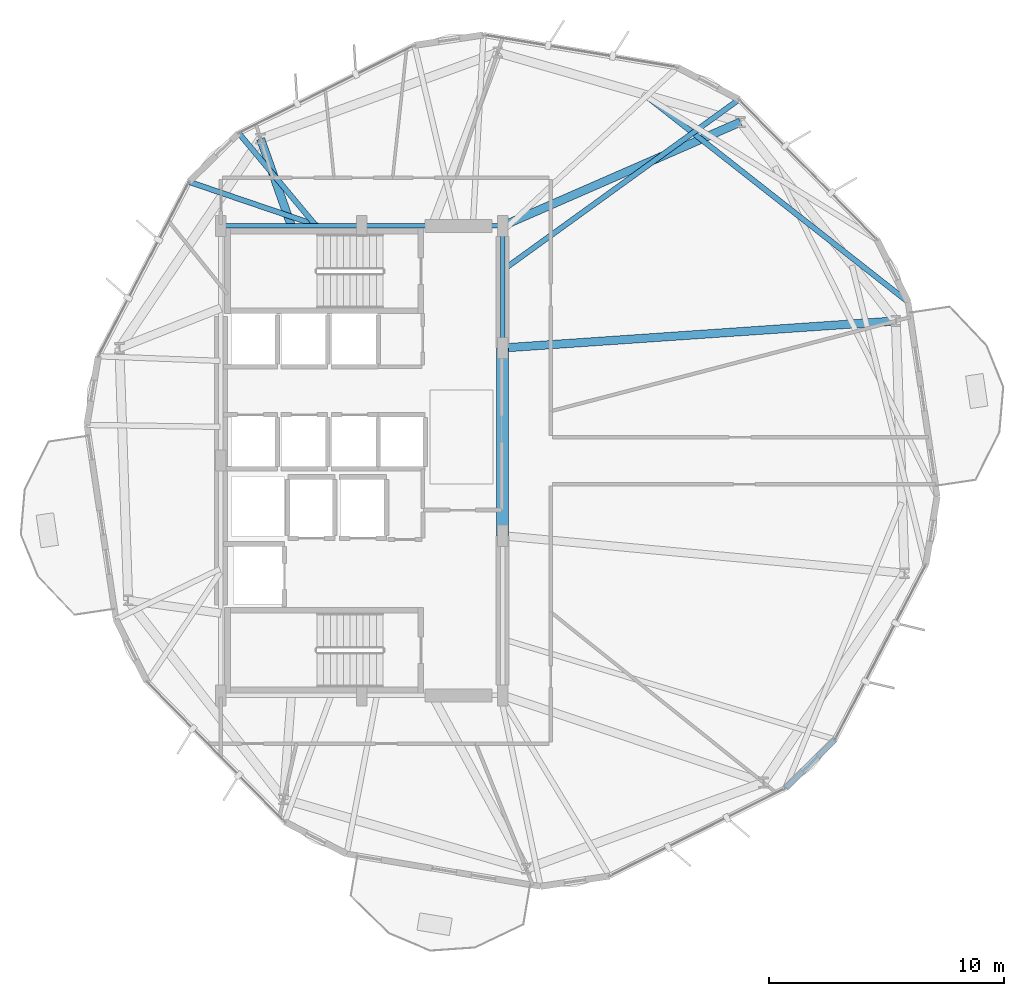
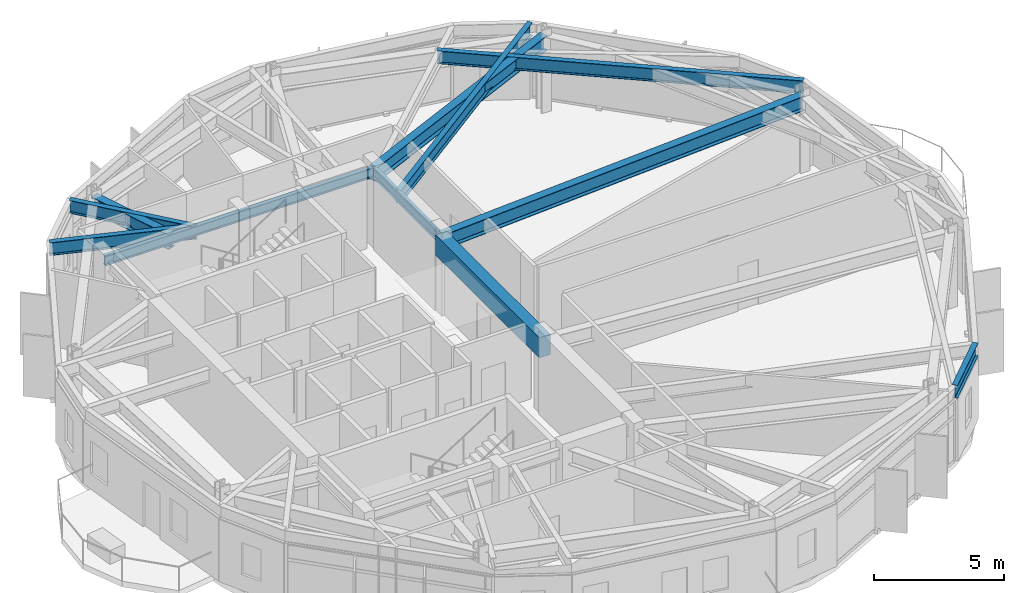
# One storey, part 8 of 22: 12 beams.
"""IFC4 building model written with IfcOpenShell, lengths in metres."""

from ifc_helpers import new_model, si_unit, direction, frame, origin, origin_2d, place, context, subcontext, project, spatial, rectangle, i_section, extrude, material, material_profile, profile_set, type_object, element, save


model = new_model("IFC4")

# Units and contexts
model_context = context("Model", 3, precision=1e-05, world=origin(), true_north=direction((0.0, 1.0)))
body_context = subcontext(model_context, "Body", "Model", "MODEL_VIEW")
ifc_project = project(units=[si_unit("LENGTHUNIT", "METRE"), si_unit("AREAUNIT", "SQUARE_METRE"), si_unit("VOLUMEUNIT", "CUBIC_METRE"), si_unit("PLANEANGLEUNIT", "RADIAN"), si_unit("MASSUNIT", "GRAM", prefix="KILO")], contexts=[model_context])

# Site, building, storey
site_placement = place(None, origin())
site = spatial("IfcSite", under=ifc_project, at=site_placement, CompositionType="ELEMENT")
building_placement = place(site_placement, origin())
building = spatial("IfcBuilding", under=site, at=building_placement, Name="Soratama Intermodal Tower", CompositionType="ELEMENT")
storey_placement = place(building_placement, frame((0.0, 0.0, 130.300048828125)))
storey = spatial("IfcBuildingStorey", under=building, at=storey_placement, Name="L31", CompositionType="ELEMENT", Elevation=130.300048828125)

# Beams
ifc_material_1 = material(Name="Concrete f'c 56 MPa", Category="concrete")
ifc_material_profile_1 = material_profile(ifc_material_1, rectangle(XDim=0.5, YDim=0.949951171875, at=origin_2d()), Name="RC500X950")
ifc_profile_set_1 = profile_set([ifc_material_profile_1], Name="Concrete f'c 56 MPa")
beam_type_1 = type_object("IfcBeamType", Name="BM-CPL-RC500X950", PredefinedType="BEAM", material=ifc_profile_set_1)
beam_1_placement = place(storey_placement, frame((44.60009765625, 21.800048828125, 3.0849609375), z_axis=(0.0, 1.0, 0.0), x_axis=(-1.0, 0.0, 0.0)))
element("IfcBeam", 1, at=beam_1_placement, inside=storey, type_object=beam_type_1, Name="L31 Core Coupling Beam East", PredefinedType="BEAM", context=body_context, shape_type="SweptSolid", body=[
    extrude(rectangle(XDim=0.5, YDim=0.949951171875, at=origin_2d()), origin(), (0.0, 0.0, 1.0), 8.0),
])
ifc_material_2 = material(Name="Structural steel ASTM A992 Grade 50", Category="steel")
ifc_material_profile_2 = material_profile(ifc_material_2, i_section(OverallWidth=0.19091796875, OverallDepth=0.4599609375, WebThickness=0.010009765625, FlangeThickness=0.01611328125, FilletRadius=0.010986328125, at=origin_2d()), Name="W18X55")
ifc_profile_set_2 = profile_set([ifc_material_profile_2], Name="Structural steel ASTM A992 Grade 50")
beam_type_2 = type_object("IfcBeamType", Name="BM-FLR-W18X55", PredefinedType="BEAM", material=ifc_profile_set_2)
beam_2_placement = place(storey_placement, frame((44.60009765625, 29.800048828125, 3.329833984375), z_axis=(0.0, 1.0, 0.0), x_axis=(-1.0, 0.0, 0.0)))
element("IfcBeam", 2, at=beam_2_placement, inside=storey, type_object=beam_type_2, Name="BM-L31-CRING-05", PredefinedType="BEAM", context=body_context, shape_type="SweptSolid", body=[
    extrude(i_section(OverallWidth=0.19091796875, OverallDepth=0.4599609375, WebThickness=0.010009765625, FlangeThickness=0.01611328125, FilletRadius=0.010986328125, at=origin_2d()), origin(), (0.0, 0.0, 1.0), 5.199951171875),
])
for number, where, z_axis, x_axis, name in (
    (3, (44.60009765625, 35.0, 3.329833984375), (-1.0, 0.0, 0.0), (0.0, -1.0, 0.0), "BM-L31-CRING-06"),
    (4, (38.60009765625, 35.0, 3.329833984375), (-1.0, 0.0, 0.0), (0.0, -1.0, 0.0), "BM-L31-CRING-07"),
):
    element("IfcBeam", number, at=place(storey_placement, frame(where, z_axis=z_axis, x_axis=x_axis)), inside=storey, type_object=beam_type_2, Name=name, PredefinedType="BEAM", context=body_context, shape_type="SweptSolid", body=[
        extrude(i_section(OverallWidth=0.19091796875, OverallDepth=0.4599609375, WebThickness=0.010009765625, FlangeThickness=0.01611328125, FilletRadius=0.010986328125, at=origin_2d()), origin(), (0.0, 0.0, 1.0), 6.0),
    ])
ifc_material_3 = material(Name="Structural steel ASTM A992 Grade 50", Category="steel")
ifc_material_profile_3 = material_profile(ifc_material_3, i_section(OverallWidth=0.35498046875, OverallDepth=0.695068359375, WebThickness=0.015380859375, FlangeThickness=0.02490234375, FilletRadius=0.01611328125, at=origin_2d()), Name="W27X146")
ifc_profile_set_3 = profile_set([ifc_material_profile_3], Name="Structural steel ASTM A992 Grade 50")
beam_type_3 = type_object("IfcBeamType", Name="BM-RING-W27X146", PredefinedType="BEAM", material=ifc_profile_set_3)
beam_3_placement = place(storey_placement, frame((44.60009765625, 29.800048828125, 3.21240234375), z_axis=(0.99764812202, 0.06854359656, 0.0), x_axis=(-0.06854359656, 0.99764812202, 0.0)))
element("IfcBeam", 5, at=beam_3_placement, inside=storey, type_object=beam_type_3, Name="BM-L31-RAD-01", PredefinedType="BEAM", context=body_context, shape_type="SweptSolid", body=[
    extrude(i_section(OverallWidth=0.35498046875, OverallDepth=0.695068359375, WebThickness=0.015380859375, FlangeThickness=0.02490234375, FilletRadius=0.01611328125, at=origin_2d()), origin(), (0.0, 0.0, 1.0), 16.79052734375),
])
beam_4_placement = place(storey_placement, frame((44.60009765625, 35.0, 3.21240234375), z_axis=(0.91638224797, 0.400304353718, 0.0), x_axis=(-0.400304353718, 0.91638224797, 0.0)))
element("IfcBeam", 6, at=beam_4_placement, inside=storey, type_object=beam_type_3, Name="BM-L31-RAD-02", PredefinedType="BEAM", context=body_context, shape_type="SweptSolid", body=[
    extrude(i_section(OverallWidth=0.35498046875, OverallDepth=0.695068359375, WebThickness=0.015380859375, FlangeThickness=0.02490234375, FilletRadius=0.01611328125, at=origin_2d()), origin(), (0.0, 0.0, 1.0), 11.05419921875),
])
beam_5_placement = place(storey_placement, frame((35.60009765625, 35.0, 3.21240234375), z_axis=(-0.333332697239, 0.942809266475, 0.0), x_axis=(-0.942809266475, -0.333332697239, 0.0)))
element("IfcBeam", 7, at=beam_5_placement, inside=storey, type_object=beam_type_3, Name="BM-L31-RAD-04", PredefinedType="BEAM", context=body_context, shape_type="SweptSolid", body=[
    extrude(i_section(OverallWidth=0.35498046875, OverallDepth=0.695068359375, WebThickness=0.015380859375, FlangeThickness=0.02490234375, FilletRadius=0.01611328125, at=origin_2d()), origin(), (0.0, 0.0, 1.0), 3.93603515625),
])
ifc_material_4 = material(Name="Structural steel ASTM A992 Grade 50", Category="steel")
ifc_material_profile_4 = material_profile(ifc_material_4, i_section(OverallWidth=0.22900390625, OverallDepth=0.612060546875, WebThickness=0.011962890625, FlangeThickness=0.01953125, FilletRadius=0.012939453125, at=origin_2d()), Name="W24X84")
ifc_profile_set_4 = profile_set([ifc_material_profile_4], Name="Structural steel ASTM A992 Grade 50")
beam_type_4 = type_object("IfcBeamType", Name="BM-SPN-W24X84", PredefinedType="SPANDREL", material=ifc_profile_set_4)
beam_6_placement = place(storey_placement, frame((56.64599609375, 11.0419921875, 3.25390625), z_axis=(0.712966761185, 0.701197830462, 0.0), x_axis=(-0.701197830462, 0.712966761185, 0.0)))
element("IfcBeam", 8, at=beam_6_placement, inside=storey, type_object=beam_type_4, Name="BS-L31-CRN08", PredefinedType="SPANDREL", context=body_context, shape_type="SweptSolid", body=[
    extrude(i_section(OverallWidth=0.22900390625, OverallDepth=0.612060546875, WebThickness=0.011962890625, FlangeThickness=0.01953125, FilletRadius=0.012939453125, at=origin_2d()), origin(), (0.0, 0.0, 1.0), 2.966552734375),
])
ifc_material_5 = material(Name="Structural steel ASTM A992 Grade 50", Category="steel")
ifc_material_profile_5 = material_profile(ifc_material_5, i_section(OverallWidth=0.22900390625, OverallDepth=0.612060546875, WebThickness=0.011962890625, FlangeThickness=0.01953125, FilletRadius=0.012939453125, at=origin_2d()), Name="W24X84")
ifc_profile_set_5 = profile_set([ifc_material_profile_5], Name="Structural steel ASTM A992 Grade 50")
beam_type_5 = type_object("IfcBeamType", Name="BM-TIE-W24X84", PredefinedType="BEAM", material=ifc_profile_set_5)
beam_7_placement = place(storey_placement, frame((44.632080078125, 33.135009765625, 3.25390625), z_axis=(0.810681306858, 0.585487675969, 0.0), x_axis=(-0.585487675969, 0.810681306858, 0.0)))
element("IfcBeam", 9, at=beam_7_placement, inside=storey, type_object=beam_type_5, Name="BM-L31-TIE1-01", PredefinedType="BEAM", context=body_context, shape_type="SweptSolid", body=[
    extrude(i_section(OverallWidth=0.22900390625, OverallDepth=0.612060546875, WebThickness=0.011962890625, FlangeThickness=0.01953125, FilletRadius=0.012939453125, at=origin_2d()), origin(), (0.0, 0.0, 1.0), 12.389404296875),
])
beam_8_placement = place(storey_placement, frame((36.631103515625, 35.031005859375, 3.25390625), z_axis=(-0.640714783191, 0.767778982912, 0.0), x_axis=(-0.767778982912, -0.640714783191, 0.0)))
element("IfcBeam", 10, at=beam_8_placement, inside=storey, type_object=beam_type_5, Name="BM-L31-TIE1-03", PredefinedType="BEAM", context=body_context, shape_type="SweptSolid", body=[
    extrude(i_section(OverallWidth=0.22900390625, OverallDepth=0.612060546875, WebThickness=0.011962890625, FlangeThickness=0.01953125, FilletRadius=0.012939453125, at=origin_2d()), origin(), (0.0, 0.0, 1.0), 5.11474609375),
])
beam_9_placement = place(storey_placement, frame((36.718994140625, 35.012939453125, 3.25390625), z_axis=(-0.946678099475, 0.32218096774, 0.0), x_axis=(-0.32218096774, -0.946678099475, 0.0)))
element("IfcBeam", 11, at=beam_9_placement, inside=storey, type_object=beam_type_5, Name="BM-L31-TIE0-04", PredefinedType="BEAM", context=body_context, shape_type="SweptSolid", body=[
    extrude(i_section(OverallWidth=0.22900390625, OverallDepth=0.612060546875, WebThickness=0.011962890625, FlangeThickness=0.01953125, FilletRadius=0.012939453125, at=origin_2d()), origin(), (0.0, 0.0, 1.0), 5.78857421875),
])
beam_10_placement = place(storey_placement, frame((50.656005859375, 40.577880859375, 3.25390625), z_axis=(0.786291617037, -0.617855559963, 0.0), x_axis=(0.617855559963, 0.786291617037, 0.0)))
element("IfcBeam", 12, at=beam_10_placement, inside=storey, type_object=beam_type_5, Name="BM-L31-TIE1-10", PredefinedType="BEAM", context=body_context, shape_type="SweptSolid", body=[
    extrude(i_section(OverallWidth=0.22900390625, OverallDepth=0.612060546875, WebThickness=0.011962890625, FlangeThickness=0.01953125, FilletRadius=0.012939453125, at=origin_2d()), origin(), (0.0, 0.0, 1.0), 14.26708984375),
])

save(model, "model.ifc")
